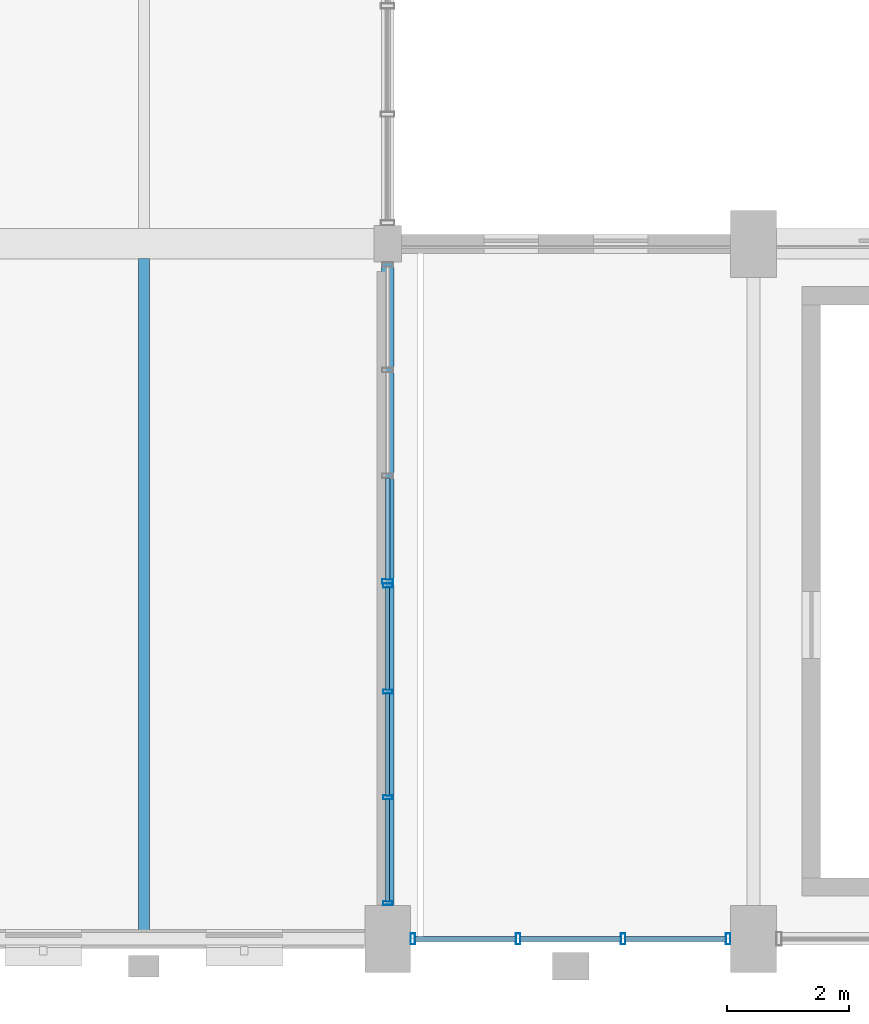
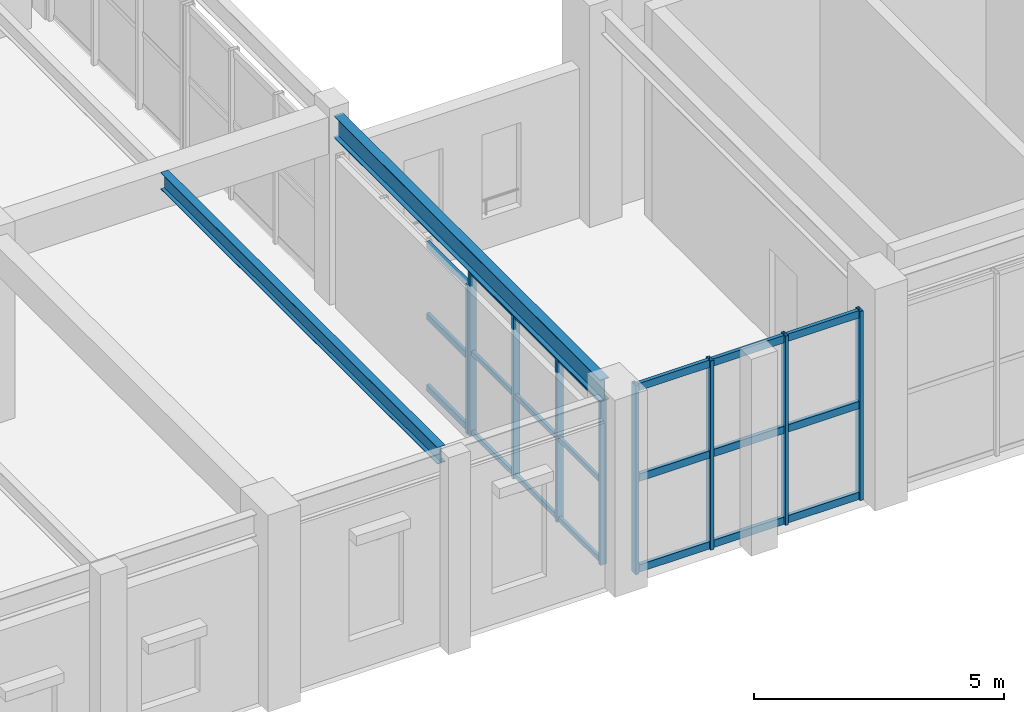
# One storey, part 17 of 106: 30 members, 2 beams, 3 elements without a shape of their own.
"""IFC4 building model written with IfcOpenShell, lengths in metres."""

from ifc_helpers import new_model, si_unit, direction, frame, origin, origin_2d, place, context, subcontext, project, spatial, hollow_rectangle, i_section, extrude, material, layer, layer_set, material_profile, profile_set, type_object, element, aggregate, save


model = new_model("IFC4")

# Units and contexts
model_context = context("Model", 3, precision=1e-05, world=origin(), true_north=direction((0.0, 1.0)))
body_context = subcontext(model_context, "Body", "Model", "MODEL_VIEW")
ifc_project = project(units=[si_unit("LENGTHUNIT", "METRE"), si_unit("AREAUNIT", "SQUARE_METRE"), si_unit("VOLUMEUNIT", "CUBIC_METRE"), si_unit("PLANEANGLEUNIT", "RADIAN"), si_unit("MASSUNIT", "GRAM", prefix="KILO"), si_unit("POWERUNIT", "WATT"), si_unit("THERMODYNAMICTEMPERATUREUNIT", "KELVIN")], contexts=[model_context])

# Site, building, storey
site_placement = place(None, origin())
site = spatial("IfcSite", under=ifc_project, at=site_placement, CompositionType="ELEMENT")
building_placement = place(site_placement, origin())
building = spatial("IfcBuilding", under=site, at=building_placement, Name="Kelmbourne Parkland Aquatics Centre", CompositionType="ELEMENT")
storey_placement = place(building_placement, frame((0.0, 0.0, 5.39990234375)))
storey = spatial("IfcBuildingStorey", under=building, at=storey_placement, Name="L01", CompositionType="ELEMENT", Elevation=5.39990234375)

# Beams
ifc_material_1 = material(Name="Structural steel AS/NZS 3679.1 Grade 300", Category="steel")
ifc_material_profile_1 = material_profile(ifc_material_1, i_section(OverallWidth=0.177978515625, OverallDepth=0.406005859375, WebThickness=0.0078125, FlangeThickness=0.0126953125, at=origin_2d()), Name="410UB59.7")
ifc_profile_set_1 = profile_set([ifc_material_profile_1], Name="Structural steel AS/NZS 3679.1 Grade 300")
beam_type_1 = type_object("IfcBeamType", Name="BM-J01", PredefinedType="JOIST", material=ifc_profile_set_1)
beam_1_placement = place(storey_placement, frame((36.0, 0.896484375, 4.357177734375), z_axis=(0.0, 1.0, 0.0), x_axis=(-1.0, 0.0, 0.0)))
element("IfcBeam", 1, at=beam_1_placement, inside=storey, type_object=beam_type_1, Name="Secondary floor joist E-F/01-03 #1 (L02)", PredefinedType="JOIST", context=body_context, shape_type="SweptSolid", body=[
    extrude(i_section(OverallWidth=0.177978515625, OverallDepth=0.406005859375, WebThickness=0.0078125, FlangeThickness=0.0126953125, at=origin_2d()), origin(), (0.0, 0.0, 1.0), 11.0615234375),
])
ifc_material_profile_2 = material_profile(ifc_material_1, i_section(OverallWidth=0.208984375, OverallDepth=0.532958984375, WebThickness=0.01025390625, FlangeThickness=0.015625, at=origin_2d()), Name="530UB92.4")
ifc_profile_set_2 = profile_set([ifc_material_profile_2], Name="Structural steel AS/NZS 3679.1 Grade 300")
beam_type_2 = type_object("IfcBeamType", Name="BM-SP02", PredefinedType="SPANDREL", material=ifc_profile_set_2)
beam_2_placement = place(storey_placement, frame((40.0, 1.304931640625, 4.293701171875), z_axis=(0.0, 1.0, 0.0), x_axis=(-1.0, 0.0, 0.0)))
element("IfcBeam", 2, at=beam_2_placement, inside=storey, type_object=beam_type_2, Name="Perimeter spandrel 01-03 Grid F (L02)", PredefinedType="SPANDREL", context=body_context, shape_type="SweptSolid", body=[
    extrude(i_section(OverallWidth=0.208984375, OverallDepth=0.532958984375, WebThickness=0.01025390625, FlangeThickness=0.015625, at=origin_2d()), origin(), (0.0, 0.0, 1.0), 10.64013671875),
])

# Curtain wall, members
ifc_material_2 = material(Name="Thermally broken anodised aluminium framing", Category="aluminium")
ifc_layer_1 = layer(ifc_material_2, 0.179931640625)
ifc_layer_set_1 = layer_set([ifc_layer_1], Name="Thermally broken anodised aluminium framing")
curtain_wall_type_1 = type_object("IfcCurtainWallType", Name="CW-09", PredefinedType="NOTDEFINED", material=ifc_layer_set_1)
curtain_wall_1_placement = place(storey_placement, origin())
curtain_wall_1 = element("IfcCurtainWall", 3, at=curtain_wall_1_placement, inside=storey, type_object=curtain_wall_type_1, Name="Facade curtain wall CW-L01-225", PredefinedType="NOTDEFINED")
ifc_material_profile_3 = material_profile(ifc_material_2, hollow_rectangle(XDim=0.06494140625, YDim=0.14990234375, WallThickness=0.00390625, at=origin_2d()), Name="CW-M 65x150")
ifc_profile_set_3 = profile_set([ifc_material_profile_3], Name="Thermally broken anodised aluminium framing")
member_type_1 = type_object("IfcMemberType", Name="MB-MUL-1", PredefinedType="MULLION", material=ifc_profile_set_3)
member_1_placement = place(storey_placement, frame((40.0, 1.384521484375, 0.0), z_axis=(0.0, 0.0, 1.0), x_axis=(0.0, 1.0, 0.0)))
member_1 = element("IfcMember", 4, at=member_1_placement, type_object=member_type_1, Name="CW-L01-225 mullion 0", PredefinedType="MULLION", context=body_context, shape_type="SweptSolid", body=[
    extrude(hollow_rectangle(XDim=0.06494140625, YDim=0.14990234375, WallThickness=0.00390625, at=origin_2d()), origin(), (0.0, 0.0, 1.0), 4.01220703125),
])
member_2_placement = place(storey_placement, frame((40.0, 3.12060546875, 0.0), z_axis=(0.0, 0.0, 1.0), x_axis=(0.0, 1.0, 0.0)))
member_2 = element("IfcMember", 5, at=member_2_placement, type_object=member_type_1, Name="CW-L01-225 mullion 1", PredefinedType="MULLION", context=body_context, shape_type="SweptSolid", body=[
    extrude(hollow_rectangle(XDim=0.06494140625, YDim=0.14990234375, WallThickness=0.00390625, at=origin_2d()), origin(), (0.0, 0.0, 1.0), 4.01220703125),
])
member_3_placement = place(storey_placement, frame((40.0, 4.8564453125, 0.0), z_axis=(0.0, 0.0, 1.0), x_axis=(0.0, 1.0, 0.0)))
member_3 = element("IfcMember", 6, at=member_3_placement, type_object=member_type_1, Name="CW-L01-225 mullion 2", PredefinedType="MULLION", context=body_context, shape_type="SweptSolid", body=[
    extrude(hollow_rectangle(XDim=0.06494140625, YDim=0.14990234375, WallThickness=0.00390625, at=origin_2d()), origin(), (0.0, 0.0, 1.0), 4.01220703125),
])
member_4_placement = place(storey_placement, frame((40.0, 6.592529296875, 0.0), z_axis=(0.0, 0.0, 1.0), x_axis=(0.0, 1.0, 0.0)))
member_4 = element("IfcMember", 7, at=member_4_placement, type_object=member_type_1, Name="CW-L01-225 mullion 3", PredefinedType="MULLION", context=body_context, shape_type="SweptSolid", body=[
    extrude(hollow_rectangle(XDim=0.06494140625, YDim=0.14990234375, WallThickness=0.00390625, at=origin_2d()), origin(), (0.0, 0.0, 1.0), 4.01220703125),
])

ifc_layer_2 = layer(ifc_material_2, 0.179931640625)
ifc_layer_set_2 = layer_set([ifc_layer_2], Name="Thermally broken anodised aluminium framing")
curtain_wall_type_2 = type_object("IfcCurtainWallType", Name="CW-17", PredefinedType="NOTDEFINED", material=ifc_layer_set_2)
curtain_wall_2_placement = place(storey_placement, origin())
curtain_wall_2 = element("IfcCurtainWall", 8, at=curtain_wall_2_placement, inside=storey, type_object=curtain_wall_type_2, Name="Facade curtain wall CW-L01-161", PredefinedType="NOTDEFINED")
ifc_material_profile_4 = material_profile(ifc_material_2, hollow_rectangle(XDim=0.074951171875, YDim=0.179931640625, WallThickness=0.00439453125, at=origin_2d()), Name="CW-M 75x180")
ifc_profile_set_4 = profile_set([ifc_material_profile_4], Name="Thermally broken anodised aluminium framing")
member_type_2 = type_object("IfcMemberType", Name="MB-MUL-2", PredefinedType="MULLION", material=ifc_profile_set_4)
member_5_placement = place(storey_placement, frame((40.41455078125, 0.800048828125, 0.0), z_axis=(0.0, 0.0, 1.0), x_axis=(1.0, 0.0, 0.0)))
member_5 = element("IfcMember", 9, at=member_5_placement, type_object=member_type_2, Name="CW-L01-161 mullion 0", PredefinedType="MULLION", context=body_context, shape_type="SweptSolid", body=[
    extrude(hollow_rectangle(XDim=0.074951171875, YDim=0.179931640625, WallThickness=0.00439453125, at=origin_2d()), origin(), (0.0, 0.0, 1.0), 4.612060546875),
])
member_6_placement = place(storey_placement, frame((42.13818359375, 0.800048828125, 0.0), z_axis=(0.0, 0.0, 1.0), x_axis=(1.0, 0.0, 0.0)))
member_6 = element("IfcMember", 10, at=member_6_placement, type_object=member_type_2, Name="CW-L01-161 mullion 1", PredefinedType="MULLION", context=body_context, shape_type="SweptSolid", body=[
    extrude(hollow_rectangle(XDim=0.074951171875, YDim=0.179931640625, WallThickness=0.00439453125, at=origin_2d()), origin(), (0.0, 0.0, 1.0), 4.612060546875),
])
member_7_placement = place(storey_placement, frame((43.86181640625, 0.800048828125, 0.0), z_axis=(0.0, 0.0, 1.0), x_axis=(1.0, 0.0, 0.0)))
member_7 = element("IfcMember", 11, at=member_7_placement, type_object=member_type_2, Name="CW-L01-161 mullion 2", PredefinedType="MULLION", context=body_context, shape_type="SweptSolid", body=[
    extrude(hollow_rectangle(XDim=0.074951171875, YDim=0.179931640625, WallThickness=0.00439453125, at=origin_2d()), origin(), (0.0, 0.0, 1.0), 4.612060546875),
])
member_8_placement = place(storey_placement, frame((45.58544921875, 0.800048828125, 0.0), z_axis=(0.0, 0.0, 1.0), x_axis=(1.0, 0.0, 0.0)))
member_8 = element("IfcMember", 12, at=member_8_placement, type_object=member_type_2, Name="CW-L01-161 mullion 3", PredefinedType="MULLION", context=body_context, shape_type="SweptSolid", body=[
    extrude(hollow_rectangle(XDim=0.074951171875, YDim=0.179931640625, WallThickness=0.00439453125, at=origin_2d()), origin(), (0.0, 0.0, 1.0), 4.612060546875),
])

# Curtain wall, member
ifc_layer_3 = layer(ifc_material_2, 0.179931640625)
ifc_layer_set_3 = layer_set([ifc_layer_3], Name="Thermally broken anodised aluminium framing")
curtain_wall_type_3 = type_object("IfcCurtainWallType", Name="CW-10", PredefinedType="NOTDEFINED", material=ifc_layer_set_3)
curtain_wall_3_placement = place(storey_placement, origin())
curtain_wall_3 = element("IfcCurtainWall", 13, at=curtain_wall_3_placement, inside=storey, type_object=curtain_wall_type_3, Name="Facade curtain wall CW-L01-226", PredefinedType="NOTDEFINED")
member_9_placement = place(storey_placement, frame((40.0, 6.66259765625, 0.0), z_axis=(0.0, 0.0, 1.0), x_axis=(0.0, 1.0, 0.0)))
member_9 = element("IfcMember", 14, at=member_9_placement, type_object=member_type_2, Name="CW-L01-226 mullion 0", PredefinedType="MULLION", context=body_context, shape_type="SweptSolid", body=[
    extrude(hollow_rectangle(XDim=0.074951171875, YDim=0.179931640625, WallThickness=0.00439453125, at=origin_2d()), origin(), (0.0, 0.0, 1.0), 3.64501953125),
])

# Member
ifc_material_profile_5 = material_profile(ifc_material_2, hollow_rectangle(XDim=0.06494140625, YDim=0.1201171875, WallThickness=0.00341796875, at=origin_2d()), Name="CW-T 65x120")
ifc_profile_set_5 = profile_set([ifc_material_profile_5], Name="Thermally broken anodised aluminium framing")
member_type_3 = type_object("IfcMemberType", Name="MB-TRN-1", PredefinedType="USERDEFINED", material=ifc_profile_set_5)
member_10_placement = place(storey_placement, frame((40.0, 1.4130859375, 0.06298828125), z_axis=(0.0, 1.0, 0.0), x_axis=(-1.0, 0.0, 0.0)))
member_10 = element("IfcMember", 15, at=member_10_placement, type_object=member_type_3, Name="CW-L01-225 transom 0-0", ObjectType="TRANSOM", PredefinedType="USERDEFINED", context=body_context, shape_type="SweptSolid", body=[
    extrude(hollow_rectangle(XDim=0.06494140625, YDim=0.1201171875, WallThickness=0.00341796875, at=origin_2d()), origin(), (0.0, 0.0, 1.0), 1.678955078125),
])

member_11_placement = place(storey_placement, frame((40.0, 3.14892578125, 0.06298828125), z_axis=(0.0, 1.0, 0.0), x_axis=(-1.0, 0.0, 0.0)))
member_11 = element("IfcMember", 16, at=member_11_placement, type_object=member_type_3, Name="CW-L01-225 transom 0-1", ObjectType="TRANSOM", PredefinedType="USERDEFINED", context=body_context, shape_type="SweptSolid", body=[
    extrude(hollow_rectangle(XDim=0.06494140625, YDim=0.1201171875, WallThickness=0.00341796875, at=origin_2d()), origin(), (0.0, 0.0, 1.0), 1.678955078125),
])

member_12_placement = place(storey_placement, frame((40.0, 4.885009765625, 0.06298828125), z_axis=(0.0, 1.0, 0.0), x_axis=(-1.0, 0.0, 0.0)))
member_12 = element("IfcMember", 17, at=member_12_placement, type_object=member_type_3, Name="CW-L01-225 transom 0-2", ObjectType="TRANSOM", PredefinedType="USERDEFINED", context=body_context, shape_type="SweptSolid", body=[
    extrude(hollow_rectangle(XDim=0.06494140625, YDim=0.1201171875, WallThickness=0.00341796875, at=origin_2d()), origin(), (0.0, 0.0, 1.0), 1.678955078125),
])

member_13_placement = place(storey_placement, frame((40.0, 1.4130859375, 2.006103515625), z_axis=(0.0, 1.0, 0.0), x_axis=(-1.0, 0.0, 0.0)))
member_13 = element("IfcMember", 18, at=member_13_placement, type_object=member_type_3, Name="CW-L01-225 transom 1-0", ObjectType="TRANSOM", PredefinedType="USERDEFINED", context=body_context, shape_type="SweptSolid", body=[
    extrude(hollow_rectangle(XDim=0.06494140625, YDim=0.1201171875, WallThickness=0.00341796875, at=origin_2d()), origin(), (0.0, 0.0, 1.0), 1.678955078125),
])

member_14_placement = place(storey_placement, frame((40.0, 3.14892578125, 2.006103515625), z_axis=(0.0, 1.0, 0.0), x_axis=(-1.0, 0.0, 0.0)))
member_14 = element("IfcMember", 19, at=member_14_placement, type_object=member_type_3, Name="CW-L01-225 transom 1-1", ObjectType="TRANSOM", PredefinedType="USERDEFINED", context=body_context, shape_type="SweptSolid", body=[
    extrude(hollow_rectangle(XDim=0.06494140625, YDim=0.1201171875, WallThickness=0.00341796875, at=origin_2d()), origin(), (0.0, 0.0, 1.0), 1.678955078125),
])

member_15_placement = place(storey_placement, frame((40.0, 4.885009765625, 2.006103515625), z_axis=(0.0, 1.0, 0.0), x_axis=(-1.0, 0.0, 0.0)))
member_15 = element("IfcMember", 20, at=member_15_placement, type_object=member_type_3, Name="CW-L01-225 transom 1-2", ObjectType="TRANSOM", PredefinedType="USERDEFINED", context=body_context, shape_type="SweptSolid", body=[
    extrude(hollow_rectangle(XDim=0.06494140625, YDim=0.1201171875, WallThickness=0.00341796875, at=origin_2d()), origin(), (0.0, 0.0, 1.0), 1.678955078125),
])

member_16_placement = place(storey_placement, frame((40.0, 1.4130859375, 3.94921875), z_axis=(0.0, 1.0, 0.0), x_axis=(-1.0, 0.0, 0.0)))
member_16 = element("IfcMember", 21, at=member_16_placement, type_object=member_type_3, Name="CW-L01-225 transom 2-0", ObjectType="TRANSOM", PredefinedType="USERDEFINED", context=body_context, shape_type="SweptSolid", body=[
    extrude(hollow_rectangle(XDim=0.06494140625, YDim=0.1201171875, WallThickness=0.00341796875, at=origin_2d()), origin(), (0.0, 0.0, 1.0), 1.678955078125),
])

member_17_placement = place(storey_placement, frame((40.0, 3.14892578125, 3.94921875), z_axis=(0.0, 1.0, 0.0), x_axis=(-1.0, 0.0, 0.0)))
member_17 = element("IfcMember", 22, at=member_17_placement, type_object=member_type_3, Name="CW-L01-225 transom 2-1", ObjectType="TRANSOM", PredefinedType="USERDEFINED", context=body_context, shape_type="SweptSolid", body=[
    extrude(hollow_rectangle(XDim=0.06494140625, YDim=0.1201171875, WallThickness=0.00341796875, at=origin_2d()), origin(), (0.0, 0.0, 1.0), 1.678955078125),
])

member_18_placement = place(storey_placement, frame((40.0, 4.885009765625, 3.94921875), z_axis=(0.0, 1.0, 0.0), x_axis=(-1.0, 0.0, 0.0)))
member_18 = element("IfcMember", 23, at=member_18_placement, type_object=member_type_3, Name="CW-L01-225 transom 2-2", ObjectType="TRANSOM", PredefinedType="USERDEFINED", context=body_context, shape_type="SweptSolid", body=[
    extrude(hollow_rectangle(XDim=0.06494140625, YDim=0.1201171875, WallThickness=0.00341796875, at=origin_2d()), origin(), (0.0, 0.0, 1.0), 1.678955078125),
])

aggregate(curtain_wall_1, [member_1, member_2, member_3, member_4, member_10, member_11, member_12, member_13, member_14, member_15, member_16, member_17, member_18])

ifc_material_profile_6 = material_profile(ifc_material_2, hollow_rectangle(XDim=0.074951171875, YDim=0.14990234375, WallThickness=0.00390625, at=origin_2d()), Name="CW-T 75x150")
ifc_profile_set_6 = profile_set([ifc_material_profile_6], Name="Thermally broken anodised aluminium framing")
member_type_4 = type_object("IfcMemberType", Name="MB-TRN-2", PredefinedType="USERDEFINED", material=ifc_profile_set_6)
member_19_placement = place(storey_placement, frame((40.0, 6.696044921875, 0.078125), z_axis=(0.0, 1.0, 0.0), x_axis=(-1.0, 0.0, 0.0)))
member_19 = element("IfcMember", 24, at=member_19_placement, type_object=member_type_4, Name="CW-L01-226 transom 0-0", ObjectType="TRANSOM", PredefinedType="USERDEFINED", context=body_context, shape_type="SweptSolid", body=[
    extrude(hollow_rectangle(XDim=0.074951171875, YDim=0.14990234375, WallThickness=0.00390625, at=origin_2d()), origin(), (0.0, 0.0, 1.0), 1.665771484375),
])

member_20_placement = place(storey_placement, frame((40.0, 6.696044921875, 1.822509765625), z_axis=(0.0, 1.0, 0.0), x_axis=(-1.0, 0.0, 0.0)))
member_20 = element("IfcMember", 25, at=member_20_placement, type_object=member_type_4, Name="CW-L01-226 transom 1-0", ObjectType="TRANSOM", PredefinedType="USERDEFINED", context=body_context, shape_type="SweptSolid", body=[
    extrude(hollow_rectangle(XDim=0.074951171875, YDim=0.14990234375, WallThickness=0.00390625, at=origin_2d()), origin(), (0.0, 0.0, 1.0), 1.665771484375),
])

member_21_placement = place(storey_placement, frame((40.0, 6.696044921875, 3.567138671875), z_axis=(0.0, 1.0, 0.0), x_axis=(-1.0, 0.0, 0.0)))
member_21 = element("IfcMember", 26, at=member_21_placement, type_object=member_type_4, Name="CW-L01-226 transom 2-0", ObjectType="TRANSOM", PredefinedType="USERDEFINED", context=body_context, shape_type="SweptSolid", body=[
    extrude(hollow_rectangle(XDim=0.074951171875, YDim=0.14990234375, WallThickness=0.00390625, at=origin_2d()), origin(), (0.0, 0.0, 1.0), 1.665771484375),
])

aggregate(curtain_wall_3, [member_9, member_19, member_20, member_21])

ifc_material_profile_7 = material_profile(ifc_material_2, hollow_rectangle(XDim=0.0849609375, YDim=0.179931640625, WallThickness=0.00439453125, at=origin_2d()), Name="CW-T 85x180")
ifc_profile_set_7 = profile_set([ifc_material_profile_7], Name="Thermally broken anodised aluminium framing")
member_type_5 = type_object("IfcMemberType", Name="MB-TRN-3", PredefinedType="USERDEFINED", material=ifc_profile_set_7)
member_22_placement = place(storey_placement, frame((40.447998046875, 0.800048828125, 0.093017578125), z_axis=(1.0, 0.0, 0.0), x_axis=(0.0, 1.0, 0.0)))
member_22 = element("IfcMember", 27, at=member_22_placement, type_object=member_type_5, Name="CW-L01-161 transom 0-0", ObjectType="TRANSOM", PredefinedType="USERDEFINED", context=body_context, shape_type="SweptSolid", body=[
    extrude(hollow_rectangle(XDim=0.0849609375, YDim=0.179931640625, WallThickness=0.00439453125, at=origin_2d()), origin(), (0.0, 0.0, 1.0), 1.65673828125),
])

member_23_placement = place(storey_placement, frame((42.171630859375, 0.800048828125, 0.093017578125), z_axis=(1.0, 0.0, 0.0), x_axis=(0.0, 1.0, 0.0)))
member_23 = element("IfcMember", 28, at=member_23_placement, type_object=member_type_5, Name="CW-L01-161 transom 0-1", ObjectType="TRANSOM", PredefinedType="USERDEFINED", context=body_context, shape_type="SweptSolid", body=[
    extrude(hollow_rectangle(XDim=0.0849609375, YDim=0.179931640625, WallThickness=0.00439453125, at=origin_2d()), origin(), (0.0, 0.0, 1.0), 1.65673828125),
])

member_24_placement = place(storey_placement, frame((43.895263671875, 0.800048828125, 0.093017578125), z_axis=(1.0, 0.0, 0.0), x_axis=(0.0, 1.0, 0.0)))
member_24 = element("IfcMember", 29, at=member_24_placement, type_object=member_type_5, Name="CW-L01-161 transom 0-2", ObjectType="TRANSOM", PredefinedType="USERDEFINED", context=body_context, shape_type="SweptSolid", body=[
    extrude(hollow_rectangle(XDim=0.0849609375, YDim=0.179931640625, WallThickness=0.00439453125, at=origin_2d()), origin(), (0.0, 0.0, 1.0), 1.65673828125),
])

member_25_placement = place(storey_placement, frame((40.447998046875, 0.800048828125, 2.30615234375), z_axis=(1.0, 0.0, 0.0), x_axis=(0.0, 1.0, 0.0)))
member_25 = element("IfcMember", 30, at=member_25_placement, type_object=member_type_5, Name="CW-L01-161 transom 1-0", ObjectType="TRANSOM", PredefinedType="USERDEFINED", context=body_context, shape_type="SweptSolid", body=[
    extrude(hollow_rectangle(XDim=0.0849609375, YDim=0.179931640625, WallThickness=0.00439453125, at=origin_2d()), origin(), (0.0, 0.0, 1.0), 1.65673828125),
])

member_26_placement = place(storey_placement, frame((42.171630859375, 0.800048828125, 2.30615234375), z_axis=(1.0, 0.0, 0.0), x_axis=(0.0, 1.0, 0.0)))
member_26 = element("IfcMember", 31, at=member_26_placement, type_object=member_type_5, Name="CW-L01-161 transom 1-1", ObjectType="TRANSOM", PredefinedType="USERDEFINED", context=body_context, shape_type="SweptSolid", body=[
    extrude(hollow_rectangle(XDim=0.0849609375, YDim=0.179931640625, WallThickness=0.00439453125, at=origin_2d()), origin(), (0.0, 0.0, 1.0), 1.65673828125),
])

member_27_placement = place(storey_placement, frame((43.895263671875, 0.800048828125, 2.30615234375), z_axis=(1.0, 0.0, 0.0), x_axis=(0.0, 1.0, 0.0)))
member_27 = element("IfcMember", 32, at=member_27_placement, type_object=member_type_5, Name="CW-L01-161 transom 1-2", ObjectType="TRANSOM", PredefinedType="USERDEFINED", context=body_context, shape_type="SweptSolid", body=[
    extrude(hollow_rectangle(XDim=0.0849609375, YDim=0.179931640625, WallThickness=0.00439453125, at=origin_2d()), origin(), (0.0, 0.0, 1.0), 1.65673828125),
])

member_28_placement = place(storey_placement, frame((40.447998046875, 0.800048828125, 4.51904296875), z_axis=(1.0, 0.0, 0.0), x_axis=(0.0, 1.0, 0.0)))
member_28 = element("IfcMember", 33, at=member_28_placement, type_object=member_type_5, Name="CW-L01-161 transom 2-0", ObjectType="TRANSOM", PredefinedType="USERDEFINED", context=body_context, shape_type="SweptSolid", body=[
    extrude(hollow_rectangle(XDim=0.0849609375, YDim=0.179931640625, WallThickness=0.00439453125, at=origin_2d()), origin(), (0.0, 0.0, 1.0), 1.65673828125),
])

member_29_placement = place(storey_placement, frame((42.171630859375, 0.800048828125, 4.51904296875), z_axis=(1.0, 0.0, 0.0), x_axis=(0.0, 1.0, 0.0)))
member_29 = element("IfcMember", 34, at=member_29_placement, type_object=member_type_5, Name="CW-L01-161 transom 2-1", ObjectType="TRANSOM", PredefinedType="USERDEFINED", context=body_context, shape_type="SweptSolid", body=[
    extrude(hollow_rectangle(XDim=0.0849609375, YDim=0.179931640625, WallThickness=0.00439453125, at=origin_2d()), origin(), (0.0, 0.0, 1.0), 1.65673828125),
])

member_30_placement = place(storey_placement, frame((43.895263671875, 0.800048828125, 4.51904296875), z_axis=(1.0, 0.0, 0.0), x_axis=(0.0, 1.0, 0.0)))
member_30 = element("IfcMember", 35, at=member_30_placement, type_object=member_type_5, Name="CW-L01-161 transom 2-2", ObjectType="TRANSOM", PredefinedType="USERDEFINED", context=body_context, shape_type="SweptSolid", body=[
    extrude(hollow_rectangle(XDim=0.0849609375, YDim=0.179931640625, WallThickness=0.00439453125, at=origin_2d()), origin(), (0.0, 0.0, 1.0), 1.65673828125),
])

aggregate(curtain_wall_2, [member_5, member_6, member_7, member_8, member_22, member_23, member_24, member_25, member_26, member_27, member_28, member_29, member_30])

save(model, "model.ifc")
